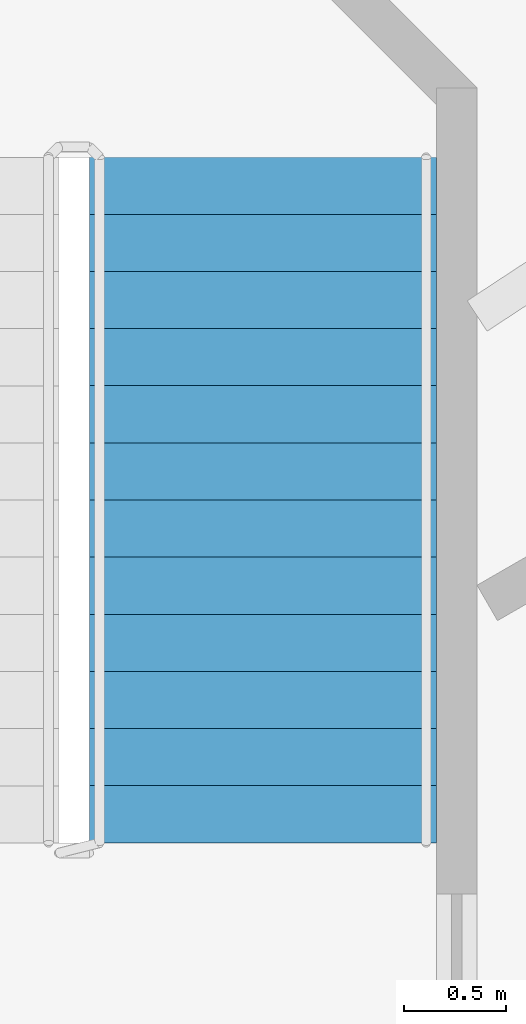
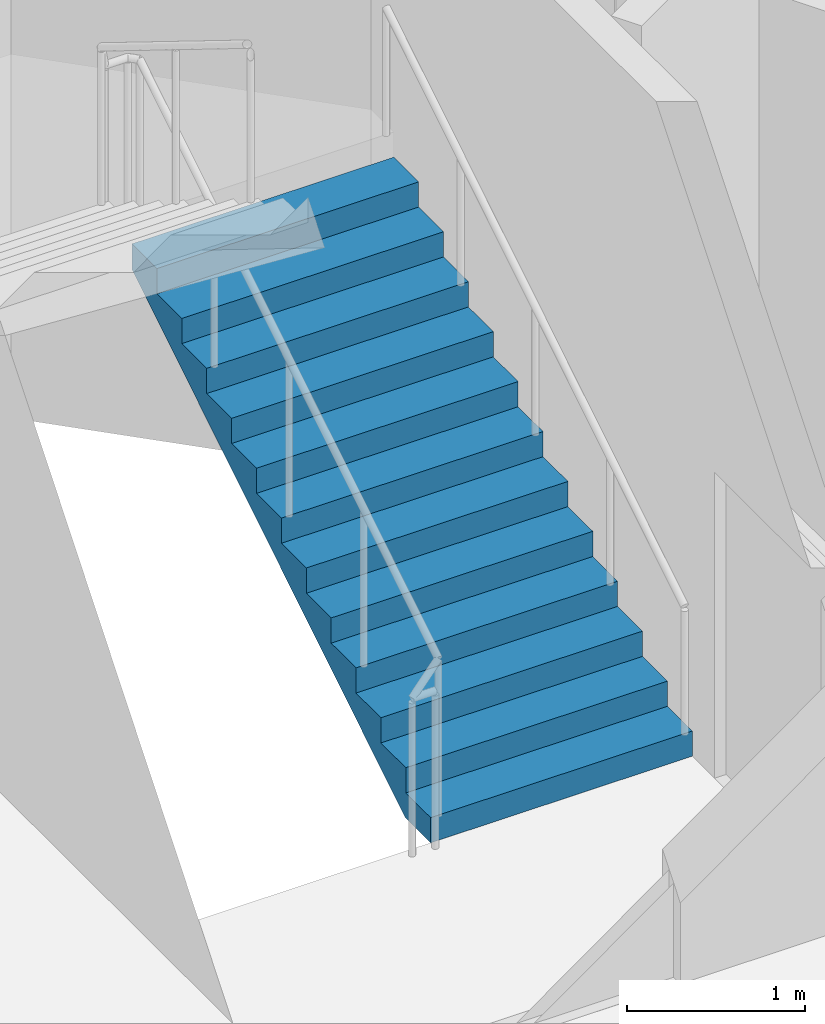
# One storey, part 6 of 7: 1 stair flight, 1 element without a shape of its own.
"""IFC4 building model written with IfcOpenShell, lengths in metres."""

from ifc_helpers import new_model, si_unit, direction, frame, origin, place, context, subcontext, project, spatial, polyline, outline, extrude, material, type_object, element, aggregate, save


model = new_model("IFC4")

# Units and contexts
model_context = context("Model", 3, precision=1e-05, world=origin(), true_north=direction((0.0, 1.0)))
body_context = subcontext(model_context, "Body", "Model", "MODEL_VIEW")
ifc_project = project(units=[si_unit("LENGTHUNIT", "METRE"), si_unit("AREAUNIT", "SQUARE_METRE"), si_unit("VOLUMEUNIT", "CUBIC_METRE"), si_unit("PLANEANGLEUNIT", "RADIAN"), si_unit("MASSUNIT", "GRAM", prefix="KILO")], contexts=[model_context])

# Site, building, storey
site_placement = place(None, origin())
site = spatial("IfcSite", under=ifc_project, at=site_placement, CompositionType="ELEMENT")
building_placement = place(site_placement, origin())
building = spatial("IfcBuilding", under=site, at=building_placement, Name="Noor Cloister Tower", CompositionType="ELEMENT")
storey_placement = place(building_placement, frame((0.0, 0.0, 279.60009765625)))
storey = spatial("IfcBuildingStorey", under=building, at=storey_placement, Name="L71", CompositionType="ELEMENT", Elevation=279.60009765625)

# Stair, stair flight
ifc_material_1 = material(Name="Concrete C40/50", Category="concrete")
stair_type = type_object("IfcStairType", Name="Exit stair 26 risers", PredefinedType="HALF_TURN_STAIR", material=ifc_material_1)
stair_placement = place(storey_placement, origin())
stair = element("IfcStair", 1, at=stair_placement, inside=storey, type_object=stair_type, Name="Exit stair ST1 L71", PredefinedType="HALF_TURN_STAIR")
ifc_material_2 = material(Name="Concrete C40/50", Category="concrete")
stair_flight_type = type_object("IfcStairFlightType", Name="Exit stair flight", PredefinedType="STRAIGHT", material=ifc_material_2)
stair_flight_placement = place(storey_placement, frame((4.28564453125, 13.3564453125, 0.0), z_axis=(0.0, 0.0, 1.0), x_axis=(0.0, 1.0, 0.0)))
stair_flight = element("IfcStairFlight", 2, at=stair_flight_placement, type_object=stair_flight_type, Name="ST1 flight 1", NumberOfRisers=13, NumberOfTreads=12, PredefinedType="STRAIGHT", RiserHeight=0.173076923, TreadLength=0.28, context=body_context, shape_type="SweptSolid", body=[
    extrude(outline(polyline([(0.0, 0.0), (0.0, 0.173095703125), (0.280029296875, 0.173095703125), (0.280029296875, 0.34619140625), (0.56005859375, 0.34619140625), (0.56005859375, 0.519287109375), (0.840087890625, 0.519287109375), (0.840087890625, 0.6923828125), (1.1201171875, 0.6923828125), (1.1201171875, 0.865478515625), (1.39990234375, 0.865478515625), (1.39990234375, 1.03857421875), (1.679931640625, 1.03857421875), (1.679931640625, 1.21142578125), (1.9599609375, 1.21142578125), (1.9599609375, 1.384521484375), (2.239990234375, 1.384521484375), (2.239990234375, 1.5576171875), (2.52001953125, 1.5576171875), (2.52001953125, 1.730712890625), (2.800048828125, 1.730712890625), (2.800048828125, 1.90380859375), (3.080078125, 1.90380859375), (3.080078125, 2.076904296875), (3.360107421875, 2.076904296875), (3.360107421875, 2.25), (3.360107421875, 1.900634765625), (0.28515625, 0.0), (0.0, 0.0)])), frame((0.0, 0.85009765625, 0.0), z_axis=(0.0, -1.0, 0.0), x_axis=(1.0, 0.0, 0.0)), (0.0, 0.0, 1.0), 1.699951171875),
])
aggregate(stair, [stair_flight])

save(model, "model.ifc")
